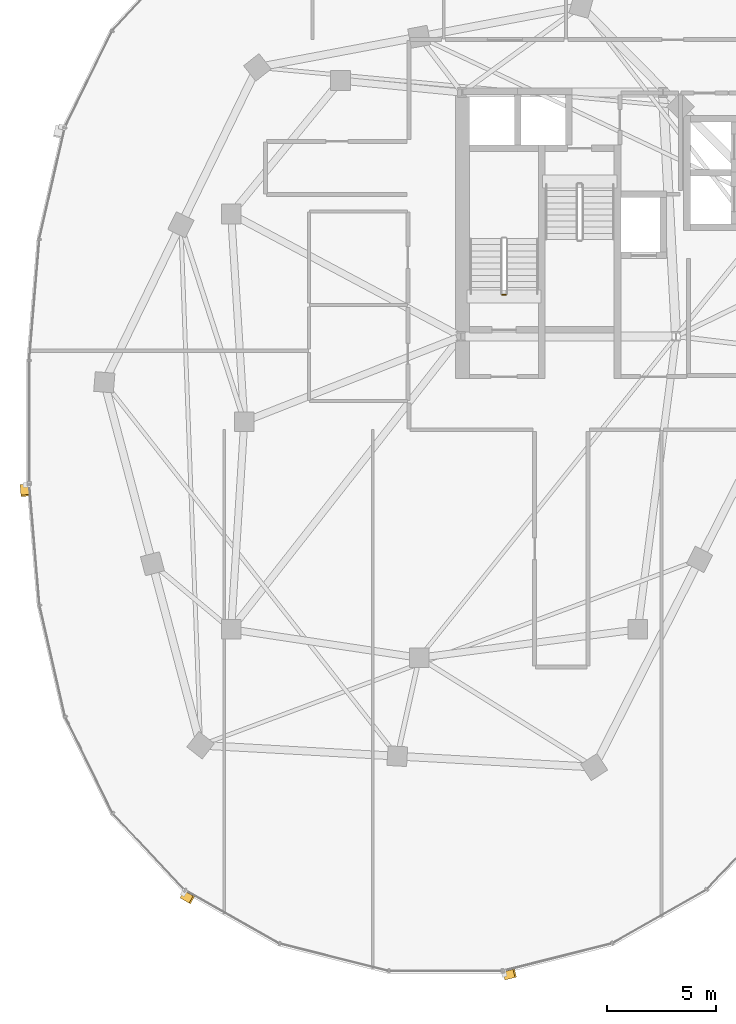
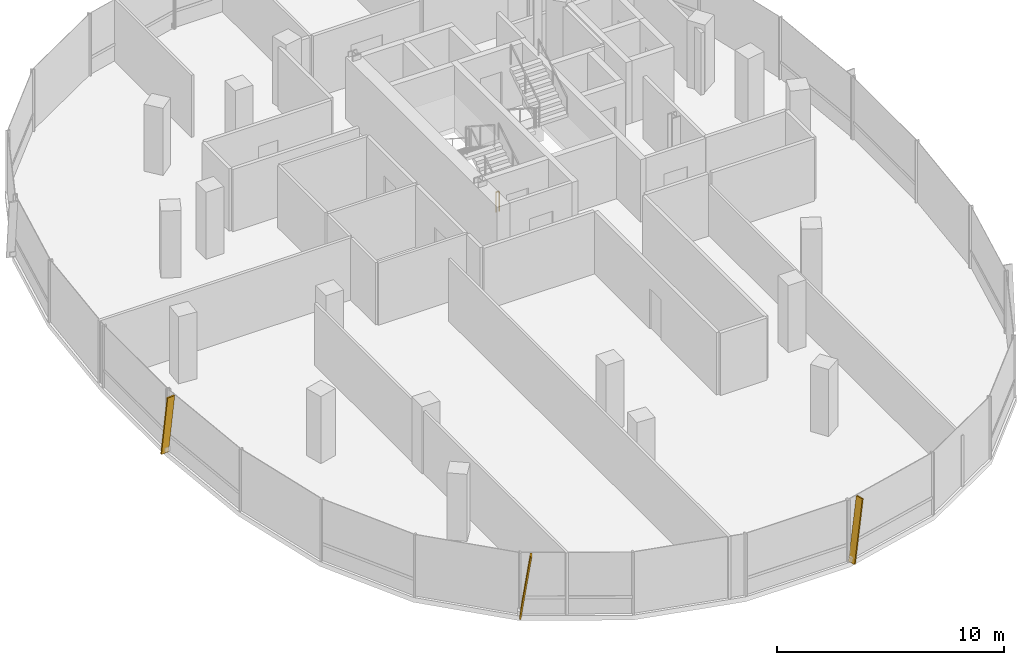
# One storey, part 21 of 25: 3 shading devices, 1 railing.
"""IFC4 building model written with IfcOpenShell, lengths in metres."""

from ifc_helpers import new_model, si_unit, direction, frame, origin, origin_2d, place, context, subcontext, project, spatial, rectangle, extrude, material, material_profile, profile_set, type_object, element, save


model = new_model("IFC4")

# Units and contexts
model_context = context("Model", 3, precision=1e-05, world=origin(), true_north=direction((0.0, 1.0)))
body_context = subcontext(model_context, "Body", "Model", "MODEL_VIEW")
ifc_project = project(units=[si_unit("LENGTHUNIT", "METRE"), si_unit("AREAUNIT", "SQUARE_METRE"), si_unit("VOLUMEUNIT", "CUBIC_METRE"), si_unit("PLANEANGLEUNIT", "RADIAN"), si_unit("MASSUNIT", "GRAM", prefix="KILO"), si_unit("THERMODYNAMICTEMPERATUREUNIT", "KELVIN"), si_unit("POWERUNIT", "WATT")], contexts=[model_context])

# Site, building, storey
site_placement = place(None, origin())
site = spatial("IfcSite", under=ifc_project, at=site_placement, CompositionType="ELEMENT")
building_placement = place(site_placement, origin())
building = spatial("IfcBuilding", under=site, at=building_placement, Name="Cundina Bronze Exchange", CompositionType="ELEMENT")
storey_placement = place(building_placement, frame((0.0, 0.0, 195.39990234375)))
storey = spatial("IfcBuildingStorey", under=building, at=storey_placement, Name="L51", CompositionType="ELEMENT", Elevation=195.39990234375)

# Railing
ifc_material_1 = material(Name="Steel ASTM A36 Painted", Category="steel")
railing_type = type_object("IfcRailingType", Name="RLG-STG-1100", PredefinedType="GUARDRAIL", material=ifc_material_1)
railing_placement = place(storey_placement, frame((-29.239990234375, 5.800048828125, 0.0)))
element("IfcRailing", 1, at=railing_placement, inside=storey, type_object=railing_type, Name="L51 ST-W1 stair guard 4", PredefinedType="GUARDRAIL", context=body_context, shape_type="SweptSolid", body=[
    extrude(rectangle(XDim=0.048095703125, YDim=0.048095703125, at=origin_2d()), frame((0.0, 0.0, 1.076171875), z_axis=(-1.0, 0.0, 0.0), x_axis=(0.0, -1.0, 0.0)), (0.0, 0.0, 1.0), 0.159912109375),
    extrude(rectangle(XDim=0.0419921875, YDim=0.0419921875, at=origin_2d()), origin(), (0.0, 0.0, 1.0), 1.052001953125),
    extrude(rectangle(XDim=0.0419921875, YDim=0.0419921875, at=origin_2d()), frame((-0.159912109375, 0.0, 0.0)), (0.0, 0.0, 1.0), 1.052001953125),
])

# Shading devices
ifc_material_2 = material(Name="Anodised Bronze Aluminium 6063-T6", Category="aluminium")
ifc_material_profile = material_profile(ifc_material_2, rectangle(XDim=0.070068359375, YDim=0.3798828125, at=origin_2d()), Name="FIN70X380", Category="aluminium")
ifc_profile_set = profile_set([ifc_material_profile], Name="Anodised Bronze Aluminium 6063-T6")
shading_device_type = type_object("IfcShadingDeviceType", Name="SHD-FIN-BRZ380", PredefinedType="USERDEFINED", material=ifc_profile_set)
for number, where, z_axis, x_axis, name in (
    (2, (-51.264404296875, -2.90283203125, 0.02001953125), (0.012006555776, -0.143419772964, 0.98958911238), (-0.082555834947, 0.986139516224, 0.143921466983), "L51 Diagonal Bronze Solar Fin 1"),
    (3, (-44.015625, -21.635498046875, 0.02001953125), (0.125189514072, -0.071087145125, 0.989582843103), (-0.860526986551, 0.488638423358, 0.143964567292), "L51 Diagonal Bronze Solar Fin 5"),
    (4, (-29.294189453125, -25.344482421875, 0.02001953125), (0.139611891367, 0.03514090606, 0.989582556693), (-0.959650042543, -0.24154799183, 0.143966536007), "L51 Diagonal Bronze Solar Fin 1"),
):
    element("IfcShadingDevice", number, at=place(storey_placement, frame(where, z_axis=z_axis, x_axis=x_axis)), inside=storey, type_object=shading_device_type, Name=name, ObjectType="FIN", PredefinedType="USERDEFINED", context=body_context, shape_type="SweptSolid", body=[
        extrude(rectangle(XDim=0.070068359375, YDim=0.3798828125, at=origin_2d()), origin(), (0.0, 0.0, 1.0), 3.334716796875),
    ])

save(model, "model.ifc")
